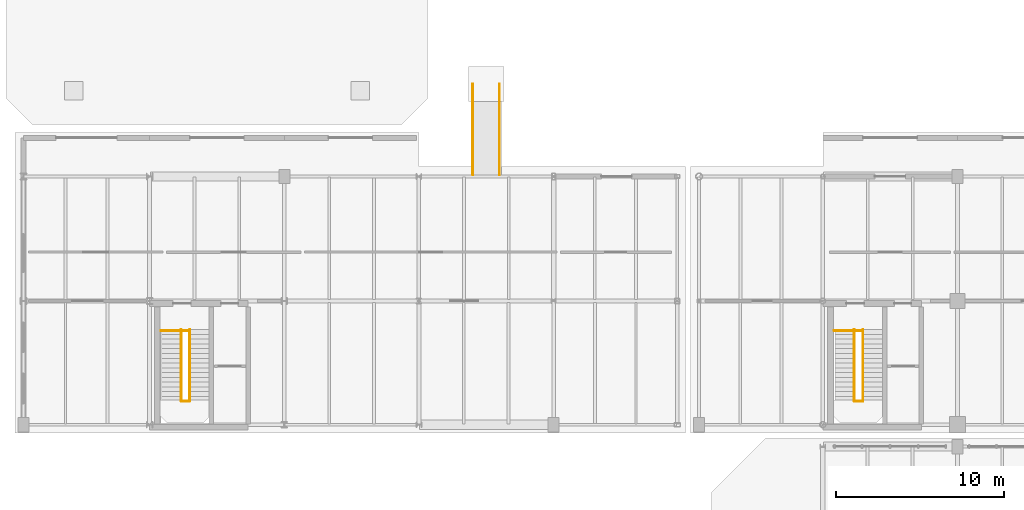
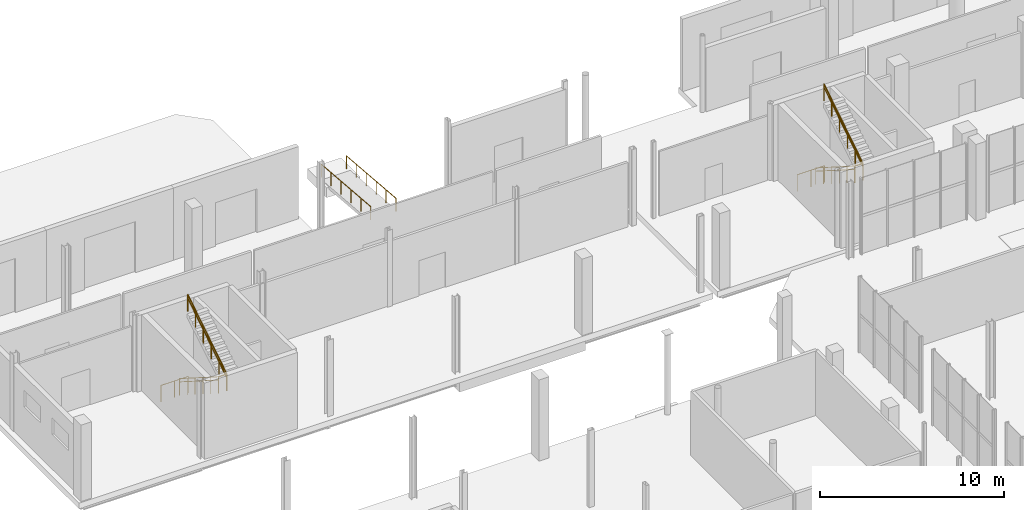
# One storey, part 84 of 87: 14 railings.
"""IFC4 building model written with IfcOpenShell, lengths in metres."""

import ifcopenshell
import ifcopenshell.guid

model = None  # the IFC model being written
_history = None  # IfcOwnerHistory: only IFC2X3 demands one
_inside = {}  # id of a spatial element -> (the spatial element, [elements in it])
_under = {}  # id of a project, library or spatial element -> (it, [spatial elements below it])
_declared = {}  # id of a project -> (the project, [libraries it declares])
_typed = {}  # id of a type object -> (the type object, [elements of that type])
_made_of = {}  # id of a material, layer set ... -> (it, [elements and type objects made of it])


def new_model(schema):
    """Start an empty IFC model of exactly this schema.

    Asked for "IFC4X3", IfcOpenShell would pick the latest addendum, in which some entities
    have other attributes; the version numbers below select the first issue.
    IFC2X3 requires an IfcOwnerHistory on every rooted entity: one is made here for all.
    """
    global model, _history
    if schema == "IFC4X3":
        model = ifcopenshell.file(schema_version=(4, 3, 0, 0))
    else:
        model = ifcopenshell.file(schema=schema)
    _inside.clear()
    _under.clear()
    _declared.clear()
    _typed.clear()
    _made_of.clear()
    _history = None
    if model.schema == "IFC2X3":
        org = make("IfcOrganization", Name="unknown")
        user = make(
            "IfcPersonAndOrganization",
            ThePerson=make("IfcPerson", FamilyName="unknown"),
            TheOrganization=org,
        )
        app = make(
            "IfcApplication",
            ApplicationDeveloper=org,
            Version="unknown",
            ApplicationFullName="unknown",
            ApplicationIdentifier="unknown",
        )
        _history = make(
            "IfcOwnerHistory",
            OwningUser=user,
            OwningApplication=app,
            ChangeAction="ADDED",
            CreationDate=0,
        )
    return model


def make(cls, **values):
    """One entity of the class cls with the attributes given. An attribute that is None is left unset."""
    return model.create_entity(
        cls, **{name: value for name, value in values.items() if value is not None}
    )


def rooted(cls, **values):
    """An entity with a GlobalId (a new one), such as an element, a storey or a relation."""
    return make(cls, GlobalId=ifcopenshell.guid.new(), OwnerHistory=_history, **values)


def si_unit(unit_type, name, prefix=None):
    """IfcSIUnit, for example si_unit("LENGTHUNIT", "METRE", prefix="MILLI")."""
    return make("IfcSIUnit", UnitType=unit_type, Prefix=prefix, Name=name)


def assignment(units):
    """IfcUnitAssignment: the units of a project."""
    return None if units is None else make("IfcUnitAssignment", Units=units)


def point(xyz):
    """IfcCartesianPoint."""
    return None if xyz is None else make("IfcCartesianPoint", Coordinates=xyz)


def direction(xyz):
    """IfcDirection."""
    return None if xyz is None else make("IfcDirection", DirectionRatios=xyz)


def frame(location, z_axis=None, x_axis=None):
    """IfcAxis2Placement3D, a coordinate frame: its origin and axes. An axis left out is left unset."""
    return make(
        "IfcAxis2Placement3D",
        Location=point(location),
        Axis=direction(z_axis),
        RefDirection=direction(x_axis),
    )


def frame_2d(location, x_axis=None):
    """IfcAxis2Placement2D, a coordinate frame in the plane: its origin and x axis."""
    return make(
        "IfcAxis2Placement2D", Location=point(location), RefDirection=direction(x_axis)
    )


def origin():
    """The frame at (0, 0, 0) with its axes left unset."""
    return frame((0.0, 0.0, 0.0))


def origin_2d():
    """The frame at (0, 0) in the plane with its x axis left unset."""
    return frame_2d((0.0, 0.0))


def place(relative_to, where):
    """IfcLocalPlacement: puts the frame where relative to a parent placement (None: the world)."""
    return make(
        "IfcLocalPlacement", PlacementRelTo=relative_to, RelativePlacement=where
    )


def context(
    kind, dimensions, precision=None, world=None, true_north=None, identifier=None
):
    """IfcGeometricRepresentationContext, for example the 3D "Model" context."""
    return make(
        "IfcGeometricRepresentationContext",
        ContextIdentifier=identifier,
        ContextType=kind,
        CoordinateSpaceDimension=dimensions,
        Precision=precision,
        WorldCoordinateSystem=world,
        TrueNorth=true_north,
    )


def subcontext(parent, identifier, kind, view, scale=None):
    """IfcGeometricRepresentationSubContext, for example "Body" below "Model"."""
    return make(
        "IfcGeometricRepresentationSubContext",
        ContextIdentifier=identifier,
        ContextType=kind,
        ParentContext=parent,
        TargetScale=scale,
        TargetView=view,
    )


def project(units=None, contexts=None):
    """IfcProject with its units and contexts."""
    return rooted(
        "IfcProject",
        Name="project",
        RepresentationContexts=contexts,
        UnitsInContext=assignment(units),
    )


def spatial(cls, under=None, at=None, **own):
    """A site, building, storey or space (cls), placed at a placement, below another one or the project."""
    s = rooted(cls, ObjectPlacement=at, **own)
    if under is not None:
        _under.setdefault(under.id(), (under, []))[1].append(s)
    return s


def profile(cls, at=None, kind="AREA", **sizes):
    """A parametric profile (cls). Its sizes go by their IFC names, for example OverallWidth=200.0."""
    return make(cls, ProfileType=kind, Position=at, **sizes)


def circle(**sizes):
    """IfcCircleProfileDef."""
    return profile("IfcCircleProfileDef", **sizes)


def extrude(swept, where, along, depth):
    """IfcExtrudedAreaSolid: the profile swept, set in the frame where, extruded along a direction by depth."""
    return make(
        "IfcExtrudedAreaSolid",
        SweptArea=swept,
        Position=where,
        ExtrudedDirection=direction(along),
        Depth=depth,
    )


def shape(context_of_items, identifier, shape_type, items):
    """IfcShapeRepresentation: the items that make up one representation, for example the "Body"."""
    return make(
        "IfcShapeRepresentation",
        ContextOfItems=context_of_items,
        RepresentationIdentifier=identifier,
        RepresentationType=shape_type,
        Items=items,
    )


def material(Name=None, Category=None):
    """IfcMaterial."""
    return make("IfcMaterial", Name=Name, Category=Category)


def made_of(thing, what):
    """Note that an element or type object is made of a material, layer set ...; save() writes the relation."""
    if what is not None:
        _made_of.setdefault(what.id(), (what, []))[1].append(thing)
    return thing


def type_object(cls, material=None, **own):
    """A type object (cls), such as IfcWallType, which elements share."""
    return made_of(rooted(cls, **own), material)


def element(
    cls,
    number,
    at=None,
    inside=None,
    cuts=None,
    type_object=None,
    material=None,
    context=None,
    identifier="Body",
    shape_type=None,
    held_by="IfcProductDefinitionShape",
    body=None,
    shapes=None,
    **own,
):
    """One element of the class cls, such as IfcWall. Its Tag is "e" and its number.

    at: its placement. inside: the storey or other place that contains it. cuts: it is an
    opening in that element (IfcRelVoidsElement). A single representation is given by context,
    identifier, shape_type and body (its items); several are given by shapes. held_by: the class
    of the entity that holds the representations. save() writes the other relations.
    """
    e = rooted(cls, Tag="e%d" % number, ObjectPlacement=at, **own)
    if body is not None:
        shapes = [shape(context, identifier, shape_type, body)]
    if shapes is not None:
        e.Representation = make(held_by, Representations=shapes)
    if inside is not None:
        _inside.setdefault(inside.id(), (inside, []))[1].append(e)
    if cuts is not None:
        rooted(
            "IfcRelVoidsElement", RelatingBuildingElement=cuts, RelatedOpeningElement=e
        )
    if type_object is not None:
        _typed.setdefault(type_object.id(), (type_object, []))[1].append(e)
    return made_of(e, material)


def aggregate(whole, parts):
    """IfcRelAggregates: a whole, such as a stair, and the parts it consists of."""
    return rooted("IfcRelAggregates", RelatingObject=whole, RelatedObjects=parts)


def save(model, path):
    """Write the relations noted so far, then the file.

    IfcRelAggregates (storeys below a building ...), IfcRelContainedInSpatialStructure (elements
    in a storey), IfcRelDefinesByType, IfcRelAssociatesMaterial and IfcRelDeclares: one each for
    every whole, place, type object, material and project.
    """
    for whole, parts in _under.values():
        aggregate(whole, parts)
    for where, things in _inside.values():
        rooted(
            "IfcRelContainedInSpatialStructure",
            RelatedElements=things,
            RelatingStructure=where,
        )
    for kind, things in _typed.values():
        rooted("IfcRelDefinesByType", RelatedObjects=things, RelatingType=kind)
    for what, things in _made_of.values():
        rooted("IfcRelAssociatesMaterial", RelatedObjects=things, RelatingMaterial=what)
    for by, libraries in _declared.values():
        rooted("IfcRelDeclares", RelatingContext=by, RelatedDefinitions=libraries)
    model.write(path)


model = new_model("IFC4")

# Units and contexts
model_context = context("Model", 3, precision=1e-05, world=origin(), true_north=direction((0.0, 1.0)))
body_context = subcontext(model_context, "Body", "Model", "MODEL_VIEW")
ifc_project = project(units=[si_unit("LENGTHUNIT", "METRE"), si_unit("AREAUNIT", "SQUARE_METRE"), si_unit("VOLUMEUNIT", "CUBIC_METRE"), si_unit("PLANEANGLEUNIT", "RADIAN"), si_unit("MASSUNIT", "GRAM", prefix="KILO")], contexts=[model_context])

# Site, building, storey
site_placement = place(None, origin())
site = spatial("IfcSite", under=ifc_project, at=site_placement, CompositionType="ELEMENT")
building_placement = place(site_placement, origin())
building = spatial("IfcBuilding", under=site, at=building_placement, Name="Brisemont Oceanarium", CompositionType="ELEMENT")
storey_placement = place(building_placement, origin())
storey = spatial("IfcBuildingStorey", under=building, at=storey_placement, Name="L00", CompositionType="ELEMENT", Elevation=0.0)

# Railings
ifc_material_1 = material(Name="Duplex Stainless Steel EN 1.4462", Category="steel")
railing_type_1 = type_object("IfcRailingType", Name="RLG-GUARD-1120", PredefinedType="GUARDRAIL", material=ifc_material_1)
railing_1_placement = place(storey_placement, frame((64.669921875, 86.239990234375, 0.0)))
element("IfcRailing", 1, at=railing_1_placement, inside=storey, type_object=railing_type_1, Name="ST-08 L00 landing edge guard", PredefinedType="GUARDRAIL", context=body_context, shape_type="SweptSolid", body=[
    extrude(circle(Radius=0.02392578125, at=origin_2d()), frame((0.0, 0.0, 1.09619140625), z_axis=(1.0, 0.0, 0.0), x_axis=(0.0, 1.0, 0.0)), (0.0, 0.0, 1.0), 1.719970703125),
    extrude(circle(Radius=0.02099609375, at=origin_2d()), origin(), (0.0, 0.0, 1.0), 1.072021484375),
    extrude(circle(Radius=0.02099609375, at=origin_2d()), frame((0.85986328125, 0.0, 0.0)), (0.0, 0.0, 1.0), 1.072021484375),
    extrude(circle(Radius=0.02099609375, at=origin_2d()), frame((1.719970703125, 0.0, 0.0)), (0.0, 0.0, 1.0), 1.072021484375),
])
railing_2_placement = place(storey_placement, frame((65.8701171875, 86.300048828125, 0.0)))
element("IfcRailing", 2, at=railing_2_placement, inside=storey, type_object=railing_type_1, Name="ST-08 L00 F1 well guard", PredefinedType="GUARDRAIL", context=body_context, shape_type="SweptSolid", body=[
    extrude(circle(Radius=0.02392578125, at=origin_2d()), frame((0.0, 0.0, 1.09619140625), z_axis=(0.0, -0.84407452441, 0.536225882666), x_axis=(1.0, 0.0, 0.0)), (0.0, 0.0, 1.0), 5.03515625),
    extrude(circle(Radius=0.02099609375, at=origin_2d()), origin(), (0.0, 0.0, 1.0), 1.072021484375),
    extrude(circle(Radius=0.02099609375, at=origin_2d()), frame((0.0, -0.85009765625, 0.5400390625)), (0.0, 0.0, 1.0), 1.072021484375),
    extrude(circle(Radius=0.02099609375, at=origin_2d()), frame((0.0, -1.699951171875, 1.080078125)), (0.0, 0.0, 1.0), 1.072021484375),
    extrude(circle(Radius=0.02099609375, at=origin_2d()), frame((0.0, -2.550048828125, 1.619873046875)), (0.0, 0.0, 1.0), 1.072021484375),
    extrude(circle(Radius=0.02099609375, at=origin_2d()), frame((0.0, -3.39990234375, 2.159912109375)), (0.0, 0.0, 1.0), 1.072021484375),
    extrude(circle(Radius=0.02099609375, at=origin_2d()), frame((0.0, -4.25, 2.699951171875)), (0.0, 0.0, 1.0), 1.072021484375),
])
railing_3_placement = place(storey_placement, frame((66.389892578125, 82.050048828125, 2.699951171875)))
element("IfcRailing", 3, at=railing_3_placement, inside=storey, type_object=railing_type_1, Name="ST-08 L00 F2 well guard", PredefinedType="GUARDRAIL", context=body_context, shape_type="SweptSolid", body=[
    extrude(circle(Radius=0.02392578125, at=origin_2d()), frame((0.0, 0.0, 1.09619140625), z_axis=(0.0, 0.84407452441, 0.536225882666), x_axis=(-1.0, 0.0, 0.0)), (0.0, 0.0, 1.0), 5.03515625),
    extrude(circle(Radius=0.02099609375, at=origin_2d()), origin(), (0.0, 0.0, 1.0), 1.072021484375),
    extrude(circle(Radius=0.02099609375, at=origin_2d()), frame((0.0, 0.85009765625, 0.5400390625)), (0.0, 0.0, 1.0), 1.072021484375),
    extrude(circle(Radius=0.02099609375, at=origin_2d()), frame((0.0, 1.699951171875, 1.080078125)), (0.0, 0.0, 1.0), 1.072021484375),
    extrude(circle(Radius=0.02099609375, at=origin_2d()), frame((0.0, 2.550048828125, 1.619873046875)), (0.0, 0.0, 1.0), 1.072021484375),
    extrude(circle(Radius=0.02099609375, at=origin_2d()), frame((0.0, 3.39990234375, 2.159912109375)), (0.0, 0.0, 1.0), 1.072021484375),
    extrude(circle(Radius=0.02099609375, at=origin_2d()), frame((0.0, 4.25, 2.699951171875)), (0.0, 0.0, 1.0), 1.072021484375),
])
railing_4_placement = place(storey_placement, frame((65.8701171875, 82.050048828125, 2.699951171875)))
element("IfcRailing", 4, at=railing_4_placement, inside=storey, type_object=railing_type_1, Name="ST-08 L00 landing slot guard", PredefinedType="GUARDRAIL", context=body_context, shape_type="SweptSolid", body=[
    extrude(circle(Radius=0.02392578125, at=origin_2d()), frame((0.0, 0.0, 1.09619140625), z_axis=(1.0, 0.0, 0.0), x_axis=(0.0, 1.0, 0.0)), (0.0, 0.0, 1.0), 0.519775390625),
    extrude(circle(Radius=0.02099609375, at=origin_2d()), origin(), (0.0, 0.0, 1.0), 1.072021484375),
    extrude(circle(Radius=0.02099609375, at=origin_2d()), frame((0.519775390625, 0.0, 0.0)), (0.0, 0.0, 1.0), 1.072021484375),
])
railing_5_placement = place(storey_placement, frame((24.669921875, 86.239990234375, 0.0)))
element("IfcRailing", 5, at=railing_5_placement, inside=storey, type_object=railing_type_1, Name="ST-09 L00 landing edge guard", PredefinedType="GUARDRAIL", context=body_context, shape_type="SweptSolid", body=[
    extrude(circle(Radius=0.02392578125, at=origin_2d()), frame((0.0, 0.0, 1.09619140625), z_axis=(1.0, 0.0, 0.0), x_axis=(0.0, 1.0, 0.0)), (0.0, 0.0, 1.0), 1.719970703125),
    extrude(circle(Radius=0.02099609375, at=origin_2d()), origin(), (0.0, 0.0, 1.0), 1.072021484375),
    extrude(circle(Radius=0.02099609375, at=origin_2d()), frame((0.85986328125, 0.0, 0.0)), (0.0, 0.0, 1.0), 1.072021484375),
    extrude(circle(Radius=0.02099609375, at=origin_2d()), frame((1.719970703125, 0.0, 0.0)), (0.0, 0.0, 1.0), 1.072021484375),
])
railing_6_placement = place(storey_placement, frame((25.8701171875, 86.300048828125, 0.0)))
element("IfcRailing", 6, at=railing_6_placement, inside=storey, type_object=railing_type_1, Name="ST-09 L00 F1 well guard", PredefinedType="GUARDRAIL", context=body_context, shape_type="SweptSolid", body=[
    extrude(circle(Radius=0.02392578125, at=origin_2d()), frame((0.0, 0.0, 1.09619140625), z_axis=(0.0, -0.84407452441, 0.536225882666), x_axis=(1.0, 0.0, 0.0)), (0.0, 0.0, 1.0), 5.03515625),
    extrude(circle(Radius=0.02099609375, at=origin_2d()), origin(), (0.0, 0.0, 1.0), 1.072021484375),
    extrude(circle(Radius=0.02099609375, at=origin_2d()), frame((0.0, -0.85009765625, 0.5400390625)), (0.0, 0.0, 1.0), 1.072021484375),
    extrude(circle(Radius=0.02099609375, at=origin_2d()), frame((0.0, -1.699951171875, 1.080078125)), (0.0, 0.0, 1.0), 1.072021484375),
    extrude(circle(Radius=0.02099609375, at=origin_2d()), frame((0.0, -2.550048828125, 1.619873046875)), (0.0, 0.0, 1.0), 1.072021484375),
    extrude(circle(Radius=0.02099609375, at=origin_2d()), frame((0.0, -3.39990234375, 2.159912109375)), (0.0, 0.0, 1.0), 1.072021484375),
    extrude(circle(Radius=0.02099609375, at=origin_2d()), frame((0.0, -4.25, 2.699951171875)), (0.0, 0.0, 1.0), 1.072021484375),
])
railing_7_placement = place(storey_placement, frame((26.389892578125, 82.050048828125, 2.699951171875)))
element("IfcRailing", 7, at=railing_7_placement, inside=storey, type_object=railing_type_1, Name="ST-09 L00 F2 well guard", PredefinedType="GUARDRAIL", context=body_context, shape_type="SweptSolid", body=[
    extrude(circle(Radius=0.02392578125, at=origin_2d()), frame((0.0, 0.0, 1.09619140625), z_axis=(0.0, 0.84407452441, 0.536225882666), x_axis=(-1.0, 0.0, 0.0)), (0.0, 0.0, 1.0), 5.03515625),
    extrude(circle(Radius=0.02099609375, at=origin_2d()), origin(), (0.0, 0.0, 1.0), 1.072021484375),
    extrude(circle(Radius=0.02099609375, at=origin_2d()), frame((0.0, 0.85009765625, 0.5400390625)), (0.0, 0.0, 1.0), 1.072021484375),
    extrude(circle(Radius=0.02099609375, at=origin_2d()), frame((0.0, 1.699951171875, 1.080078125)), (0.0, 0.0, 1.0), 1.072021484375),
    extrude(circle(Radius=0.02099609375, at=origin_2d()), frame((0.0, 2.550048828125, 1.619873046875)), (0.0, 0.0, 1.0), 1.072021484375),
    extrude(circle(Radius=0.02099609375, at=origin_2d()), frame((0.0, 3.39990234375, 2.159912109375)), (0.0, 0.0, 1.0), 1.072021484375),
    extrude(circle(Radius=0.02099609375, at=origin_2d()), frame((0.0, 4.25, 2.699951171875)), (0.0, 0.0, 1.0), 1.072021484375),
])
railing_8_placement = place(storey_placement, frame((25.8701171875, 82.050048828125, 2.699951171875)))
element("IfcRailing", 8, at=railing_8_placement, inside=storey, type_object=railing_type_1, Name="ST-09 L00 landing slot guard", PredefinedType="GUARDRAIL", context=body_context, shape_type="SweptSolid", body=[
    extrude(circle(Radius=0.02392578125, at=origin_2d()), frame((0.0, 0.0, 1.09619140625), z_axis=(1.0, 0.0, 0.0), x_axis=(0.0, 1.0, 0.0)), (0.0, 0.0, 1.0), 0.519775390625),
    extrude(circle(Radius=0.02099609375, at=origin_2d()), origin(), (0.0, 0.0, 1.0), 1.072021484375),
    extrude(circle(Radius=0.02099609375, at=origin_2d()), frame((0.519775390625, 0.0, 0.0)), (0.0, 0.0, 1.0), 1.072021484375),
])
ifc_material_2 = material(Name="Duplex Stainless Steel EN 1.4462", Category="steel")
railing_type_2 = type_object("IfcRailingType", Name="RLG-HAND-900", PredefinedType="HANDRAIL", material=ifc_material_2)
railing_9_placement = place(storey_placement, frame((65.8701171875, 86.300048828125, 0.0)))
element("IfcRailing", 9, at=railing_9_placement, inside=storey, type_object=railing_type_2, Name="ST-08 L00 F1 handrail", PredefinedType="HANDRAIL", context=body_context, shape_type="SweptSolid", body=[
    extrude(circle(Radius=0.02392578125, at=origin_2d()), frame((0.0, 0.0, 0.8759765625), z_axis=(0.0, -0.84407452441, 0.536225882666), x_axis=(1.0, 0.0, 0.0)), (0.0, 0.0, 1.0), 5.03515625),
    extrude(circle(Radius=0.02099609375, at=origin_2d()), origin(), (0.0, 0.0, 1.0), 0.851806640625),
    extrude(circle(Radius=0.02099609375, at=origin_2d()), frame((0.0, -0.85009765625, 0.5400390625)), (0.0, 0.0, 1.0), 0.851806640625),
    extrude(circle(Radius=0.02099609375, at=origin_2d()), frame((0.0, -1.699951171875, 1.080078125)), (0.0, 0.0, 1.0), 0.851806640625),
    extrude(circle(Radius=0.02099609375, at=origin_2d()), frame((0.0, -2.550048828125, 1.619873046875)), (0.0, 0.0, 1.0), 0.851806640625),
    extrude(circle(Radius=0.02099609375, at=origin_2d()), frame((0.0, -3.39990234375, 2.159912109375)), (0.0, 0.0, 1.0), 0.851806640625),
    extrude(circle(Radius=0.02099609375, at=origin_2d()), frame((0.0, -4.25, 2.699951171875)), (0.0, 0.0, 1.0), 0.851806640625),
])
railing_10_placement = place(storey_placement, frame((66.389892578125, 82.050048828125, 2.699951171875)))
element("IfcRailing", 10, at=railing_10_placement, inside=storey, type_object=railing_type_2, Name="ST-08 L00 F2 handrail", PredefinedType="HANDRAIL", context=body_context, shape_type="SweptSolid", body=[
    extrude(circle(Radius=0.02392578125, at=origin_2d()), frame((0.0, 0.0, 0.8759765625), z_axis=(0.0, 0.84407452441, 0.536225882666), x_axis=(-1.0, 0.0, 0.0)), (0.0, 0.0, 1.0), 5.03515625),
    extrude(circle(Radius=0.02099609375, at=origin_2d()), origin(), (0.0, 0.0, 1.0), 0.851806640625),
    extrude(circle(Radius=0.02099609375, at=origin_2d()), frame((0.0, 0.85009765625, 0.5400390625)), (0.0, 0.0, 1.0), 0.851806640625),
    extrude(circle(Radius=0.02099609375, at=origin_2d()), frame((0.0, 1.699951171875, 1.080078125)), (0.0, 0.0, 1.0), 0.851806640625),
    extrude(circle(Radius=0.02099609375, at=origin_2d()), frame((0.0, 2.550048828125, 1.619873046875)), (0.0, 0.0, 1.0), 0.851806640625),
    extrude(circle(Radius=0.02099609375, at=origin_2d()), frame((0.0, 3.39990234375, 2.159912109375)), (0.0, 0.0, 1.0), 0.851806640625),
    extrude(circle(Radius=0.02099609375, at=origin_2d()), frame((0.0, 4.25, 2.699951171875)), (0.0, 0.0, 1.0), 0.851806640625),
])
railing_11_placement = place(storey_placement, frame((25.8701171875, 86.300048828125, 0.0)))
element("IfcRailing", 11, at=railing_11_placement, inside=storey, type_object=railing_type_2, Name="ST-09 L00 F1 handrail", PredefinedType="HANDRAIL", context=body_context, shape_type="SweptSolid", body=[
    extrude(circle(Radius=0.02392578125, at=origin_2d()), frame((0.0, 0.0, 0.8759765625), z_axis=(0.0, -0.84407452441, 0.536225882666), x_axis=(1.0, 0.0, 0.0)), (0.0, 0.0, 1.0), 5.03515625),
    extrude(circle(Radius=0.02099609375, at=origin_2d()), origin(), (0.0, 0.0, 1.0), 0.851806640625),
    extrude(circle(Radius=0.02099609375, at=origin_2d()), frame((0.0, -0.85009765625, 0.5400390625)), (0.0, 0.0, 1.0), 0.851806640625),
    extrude(circle(Radius=0.02099609375, at=origin_2d()), frame((0.0, -1.699951171875, 1.080078125)), (0.0, 0.0, 1.0), 0.851806640625),
    extrude(circle(Radius=0.02099609375, at=origin_2d()), frame((0.0, -2.550048828125, 1.619873046875)), (0.0, 0.0, 1.0), 0.851806640625),
    extrude(circle(Radius=0.02099609375, at=origin_2d()), frame((0.0, -3.39990234375, 2.159912109375)), (0.0, 0.0, 1.0), 0.851806640625),
    extrude(circle(Radius=0.02099609375, at=origin_2d()), frame((0.0, -4.25, 2.699951171875)), (0.0, 0.0, 1.0), 0.851806640625),
])
railing_12_placement = place(storey_placement, frame((26.389892578125, 82.050048828125, 2.699951171875)))
element("IfcRailing", 12, at=railing_12_placement, inside=storey, type_object=railing_type_2, Name="ST-09 L00 F2 handrail", PredefinedType="HANDRAIL", context=body_context, shape_type="SweptSolid", body=[
    extrude(circle(Radius=0.02392578125, at=origin_2d()), frame((0.0, 0.0, 0.8759765625), z_axis=(0.0, 0.84407452441, 0.536225882666), x_axis=(-1.0, 0.0, 0.0)), (0.0, 0.0, 1.0), 5.03515625),
    extrude(circle(Radius=0.02099609375, at=origin_2d()), origin(), (0.0, 0.0, 1.0), 0.851806640625),
    extrude(circle(Radius=0.02099609375, at=origin_2d()), frame((0.0, 0.85009765625, 0.5400390625)), (0.0, 0.0, 1.0), 0.851806640625),
    extrude(circle(Radius=0.02099609375, at=origin_2d()), frame((0.0, 1.699951171875, 1.080078125)), (0.0, 0.0, 1.0), 0.851806640625),
    extrude(circle(Radius=0.02099609375, at=origin_2d()), frame((0.0, 2.550048828125, 1.619873046875)), (0.0, 0.0, 1.0), 0.851806640625),
    extrude(circle(Radius=0.02099609375, at=origin_2d()), frame((0.0, 3.39990234375, 2.159912109375)), (0.0, 0.0, 1.0), 0.851806640625),
    extrude(circle(Radius=0.02099609375, at=origin_2d()), frame((0.0, 4.25, 2.699951171875)), (0.0, 0.0, 1.0), 0.851806640625),
])
for number, where, name in (
    (13, (43.2080078125, 100.89990234375, -0.449951171875), "Ramp RMP-06 handrail L"),
    (14, (44.7919921875, 100.89990234375, -0.449951171875), "Ramp RMP-06 handrail R"),
):
    element("IfcRailing", number, at=place(storey_placement, frame(where)), inside=storey, type_object=railing_type_2, Name=name, PredefinedType="HANDRAIL", context=body_context, shape_type="SweptSolid", body=[
        extrude(circle(Radius=0.02392578125, at=origin_2d()), frame((0.0, 0.0, 0.8759765625), z_axis=(0.0, -0.996546379678, 0.083038022323), x_axis=(1.0, 0.0, 0.0)), (0.0, 0.0, 1.0), 5.418701171875),
        extrude(circle(Radius=0.02099609375, at=origin_2d()), origin(), (0.0, 0.0, 1.0), 0.851806640625),
        extrude(circle(Radius=0.02099609375, at=origin_2d()), frame((0.0, -1.080078125, 0.090087890625)), (0.0, 0.0, 1.0), 0.851806640625),
        extrude(circle(Radius=0.02099609375, at=origin_2d()), frame((0.0, -2.159912109375, 0.179931640625)), (0.0, 0.0, 1.0), 0.851806640625),
        extrude(circle(Radius=0.02099609375, at=origin_2d()), frame((0.0, -3.239990234375, 0.27001953125)), (0.0, 0.0, 1.0), 0.851806640625),
        extrude(circle(Radius=0.02099609375, at=origin_2d()), frame((0.0, -4.31982421875, 0.35986328125)), (0.0, 0.0, 1.0), 0.851806640625),
        extrude(circle(Radius=0.02099609375, at=origin_2d()), frame((0.0, -5.39990234375, 0.449951171875)), (0.0, 0.0, 1.0), 0.851806640625),
    ])

save(model, "model.ifc")
